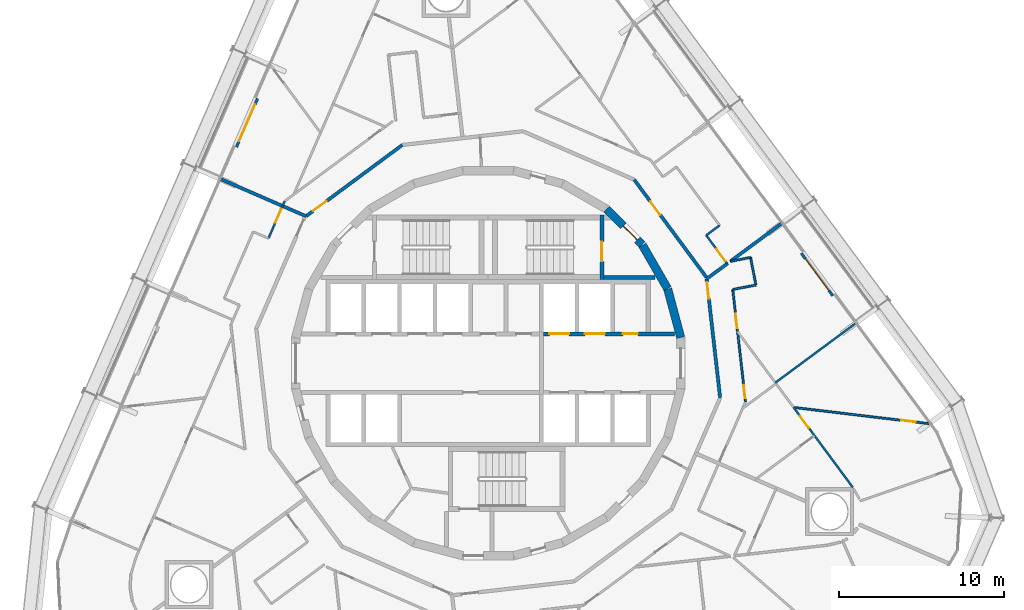
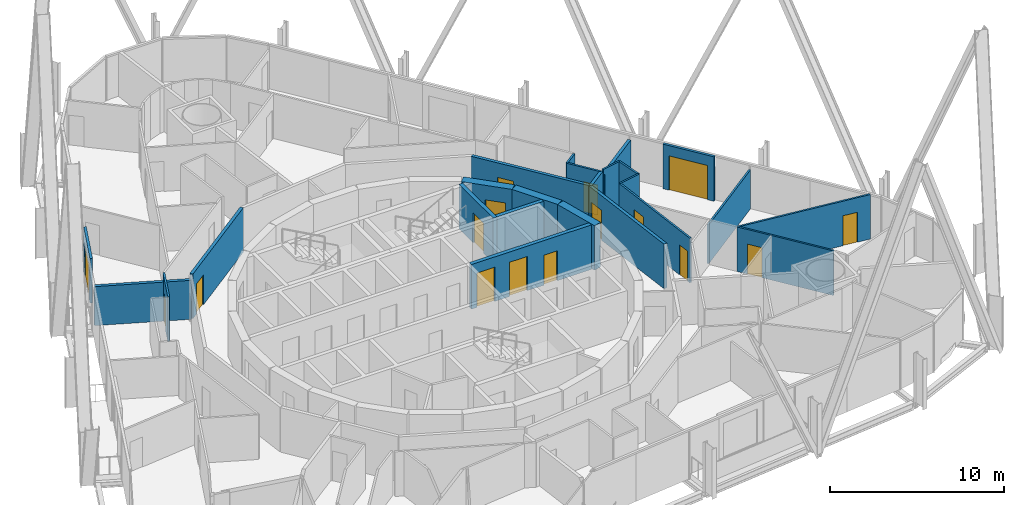
# One storey, part 20 of 23: 24 walls, 16 doors, 16 openings.
"""IFC4 building model written with IfcOpenShell, lengths in metres."""

import ifcopenshell
import ifcopenshell.guid

model = None  # the IFC model being written
_history = None  # IfcOwnerHistory: only IFC2X3 demands one
_inside = {}  # id of a spatial element -> (the spatial element, [elements in it])
_under = {}  # id of a project, library or spatial element -> (it, [spatial elements below it])
_declared = {}  # id of a project -> (the project, [libraries it declares])
_typed = {}  # id of a type object -> (the type object, [elements of that type])
_made_of = {}  # id of a material, layer set ... -> (it, [elements and type objects made of it])


def new_model(schema):
    """Start an empty IFC model of exactly this schema.

    Asked for "IFC4X3", IfcOpenShell would pick the latest addendum, in which some entities
    have other attributes; the version numbers below select the first issue.
    IFC2X3 requires an IfcOwnerHistory on every rooted entity: one is made here for all.
    """
    global model, _history
    if schema == "IFC4X3":
        model = ifcopenshell.file(schema_version=(4, 3, 0, 0))
    else:
        model = ifcopenshell.file(schema=schema)
    _inside.clear()
    _under.clear()
    _declared.clear()
    _typed.clear()
    _made_of.clear()
    _history = None
    if model.schema == "IFC2X3":
        org = make("IfcOrganization", Name="unknown")
        user = make(
            "IfcPersonAndOrganization",
            ThePerson=make("IfcPerson", FamilyName="unknown"),
            TheOrganization=org,
        )
        app = make(
            "IfcApplication",
            ApplicationDeveloper=org,
            Version="unknown",
            ApplicationFullName="unknown",
            ApplicationIdentifier="unknown",
        )
        _history = make(
            "IfcOwnerHistory",
            OwningUser=user,
            OwningApplication=app,
            ChangeAction="ADDED",
            CreationDate=0,
        )
    return model


def make(cls, **values):
    """One entity of the class cls with the attributes given. An attribute that is None is left unset."""
    return model.create_entity(
        cls, **{name: value for name, value in values.items() if value is not None}
    )


def rooted(cls, **values):
    """An entity with a GlobalId (a new one), such as an element, a storey or a relation."""
    return make(cls, GlobalId=ifcopenshell.guid.new(), OwnerHistory=_history, **values)


def si_unit(unit_type, name, prefix=None):
    """IfcSIUnit, for example si_unit("LENGTHUNIT", "METRE", prefix="MILLI")."""
    return make("IfcSIUnit", UnitType=unit_type, Prefix=prefix, Name=name)


def assignment(units):
    """IfcUnitAssignment: the units of a project."""
    return None if units is None else make("IfcUnitAssignment", Units=units)


def point(xyz):
    """IfcCartesianPoint."""
    return None if xyz is None else make("IfcCartesianPoint", Coordinates=xyz)


def direction(xyz):
    """IfcDirection."""
    return None if xyz is None else make("IfcDirection", DirectionRatios=xyz)


def frame(location, z_axis=None, x_axis=None):
    """IfcAxis2Placement3D, a coordinate frame: its origin and axes. An axis left out is left unset."""
    return make(
        "IfcAxis2Placement3D",
        Location=point(location),
        Axis=direction(z_axis),
        RefDirection=direction(x_axis),
    )


def frame_2d(location, x_axis=None):
    """IfcAxis2Placement2D, a coordinate frame in the plane: its origin and x axis."""
    return make(
        "IfcAxis2Placement2D", Location=point(location), RefDirection=direction(x_axis)
    )


def origin():
    """The frame at (0, 0, 0) with its axes left unset."""
    return frame((0.0, 0.0, 0.0))


def place(relative_to, where):
    """IfcLocalPlacement: puts the frame where relative to a parent placement (None: the world)."""
    return make(
        "IfcLocalPlacement", PlacementRelTo=relative_to, RelativePlacement=where
    )


def context(
    kind, dimensions, precision=None, world=None, true_north=None, identifier=None
):
    """IfcGeometricRepresentationContext, for example the 3D "Model" context."""
    return make(
        "IfcGeometricRepresentationContext",
        ContextIdentifier=identifier,
        ContextType=kind,
        CoordinateSpaceDimension=dimensions,
        Precision=precision,
        WorldCoordinateSystem=world,
        TrueNorth=true_north,
    )


def subcontext(parent, identifier, kind, view, scale=None):
    """IfcGeometricRepresentationSubContext, for example "Body" below "Model"."""
    return make(
        "IfcGeometricRepresentationSubContext",
        ContextIdentifier=identifier,
        ContextType=kind,
        ParentContext=parent,
        TargetScale=scale,
        TargetView=view,
    )


def project(units=None, contexts=None):
    """IfcProject with its units and contexts."""
    return rooted(
        "IfcProject",
        Name="project",
        RepresentationContexts=contexts,
        UnitsInContext=assignment(units),
    )


def spatial(cls, under=None, at=None, **own):
    """A site, building, storey or space (cls), placed at a placement, below another one or the project."""
    s = rooted(cls, ObjectPlacement=at, **own)
    if under is not None:
        _under.setdefault(under.id(), (under, []))[1].append(s)
    return s


def profile(cls, at=None, kind="AREA", **sizes):
    """A parametric profile (cls). Its sizes go by their IFC names, for example OverallWidth=200.0."""
    return make(cls, ProfileType=kind, Position=at, **sizes)


def rectangle(**sizes):
    """IfcRectangleProfileDef."""
    return profile("IfcRectangleProfileDef", **sizes)


def extrude(swept, where, along, depth):
    """IfcExtrudedAreaSolid: the profile swept, set in the frame where, extruded along a direction by depth."""
    return make(
        "IfcExtrudedAreaSolid",
        SweptArea=swept,
        Position=where,
        ExtrudedDirection=direction(along),
        Depth=depth,
    )


def shape(context_of_items, identifier, shape_type, items):
    """IfcShapeRepresentation: the items that make up one representation, for example the "Body"."""
    return make(
        "IfcShapeRepresentation",
        ContextOfItems=context_of_items,
        RepresentationIdentifier=identifier,
        RepresentationType=shape_type,
        Items=items,
    )


def material(Name=None, Category=None):
    """IfcMaterial."""
    return make("IfcMaterial", Name=Name, Category=Category)


def layer(
    of_material, thickness, ventilated=None, Name=None, Category=None, Priority=None
):
    """IfcMaterialLayer: one layer of a wall or slab, of a material (None: an air gap)."""
    return make(
        "IfcMaterialLayer",
        Material=of_material,
        LayerThickness=thickness,
        IsVentilated=ventilated,
        Name=Name,
        Category=Category,
        Priority=Priority,
    )


def layer_set(layers, Name=None):
    """IfcMaterialLayerSet."""
    return make("IfcMaterialLayerSet", MaterialLayers=layers, LayerSetName=Name)


def made_of(thing, what):
    """Note that an element or type object is made of a material, layer set ...; save() writes the relation."""
    if what is not None:
        _made_of.setdefault(what.id(), (what, []))[1].append(thing)
    return thing


def type_object(cls, material=None, **own):
    """A type object (cls), such as IfcWallType, which elements share."""
    return made_of(rooted(cls, **own), material)


def element(
    cls,
    number,
    at=None,
    inside=None,
    cuts=None,
    type_object=None,
    material=None,
    context=None,
    identifier="Body",
    shape_type=None,
    held_by="IfcProductDefinitionShape",
    body=None,
    shapes=None,
    **own,
):
    """One element of the class cls, such as IfcWall. Its Tag is "e" and its number.

    at: its placement. inside: the storey or other place that contains it. cuts: it is an
    opening in that element (IfcRelVoidsElement). A single representation is given by context,
    identifier, shape_type and body (its items); several are given by shapes. held_by: the class
    of the entity that holds the representations. save() writes the other relations.
    """
    e = rooted(cls, Tag="e%d" % number, ObjectPlacement=at, **own)
    if body is not None:
        shapes = [shape(context, identifier, shape_type, body)]
    if shapes is not None:
        e.Representation = make(held_by, Representations=shapes)
    if inside is not None:
        _inside.setdefault(inside.id(), (inside, []))[1].append(e)
    if cuts is not None:
        rooted(
            "IfcRelVoidsElement", RelatingBuildingElement=cuts, RelatedOpeningElement=e
        )
    if type_object is not None:
        _typed.setdefault(type_object.id(), (type_object, []))[1].append(e)
    return made_of(e, material)


def fill(opening, filler):
    """IfcRelFillsElement: the door or window that sits in an opening."""
    return rooted(
        "IfcRelFillsElement",
        RelatingOpeningElement=opening,
        RelatedBuildingElement=filler,
    )


def aggregate(whole, parts):
    """IfcRelAggregates: a whole, such as a stair, and the parts it consists of."""
    return rooted("IfcRelAggregates", RelatingObject=whole, RelatedObjects=parts)


def save(model, path):
    """Write the relations noted so far, then the file.

    IfcRelAggregates (storeys below a building ...), IfcRelContainedInSpatialStructure (elements
    in a storey), IfcRelDefinesByType, IfcRelAssociatesMaterial and IfcRelDeclares: one each for
    every whole, place, type object, material and project.
    """
    for whole, parts in _under.values():
        aggregate(whole, parts)
    for where, things in _inside.values():
        rooted(
            "IfcRelContainedInSpatialStructure",
            RelatedElements=things,
            RelatingStructure=where,
        )
    for kind, things in _typed.values():
        rooted("IfcRelDefinesByType", RelatedObjects=things, RelatingType=kind)
    for what, things in _made_of.values():
        rooted("IfcRelAssociatesMaterial", RelatedObjects=things, RelatingMaterial=what)
    for by, libraries in _declared.values():
        rooted("IfcRelDeclares", RelatingContext=by, RelatedDefinitions=libraries)
    model.write(path)


model = new_model("IFC4")

# Units and contexts
model_context = context("Model", 3, precision=1e-05, world=origin(), true_north=direction((0.0, 1.0)))
body_context = subcontext(model_context, "Body", "Model", "MODEL_VIEW")
ifc_project = project(units=[si_unit("LENGTHUNIT", "METRE"), si_unit("AREAUNIT", "SQUARE_METRE"), si_unit("VOLUMEUNIT", "CUBIC_METRE"), si_unit("PLANEANGLEUNIT", "RADIAN"), si_unit("MASSUNIT", "GRAM", prefix="KILO")], contexts=[model_context])

# Site, building, storey
site_placement = place(None, origin())
site = spatial("IfcSite", under=ifc_project, at=site_placement, CompositionType="ELEMENT")
building_placement = place(site_placement, origin())
building = spatial("IfcBuilding", under=site, at=building_placement, Name="Spindle Arch Residences", CompositionType="ELEMENT")
storey_placement = place(building_placement, frame((0.0, 0.0, 90.699951171875)))
storey = spatial("IfcBuildingStorey", under=building, at=storey_placement, Name="L21", CompositionType="ELEMENT", Elevation=90.699951171875)

# Walls
ifc_material_1 = material(Name="Concrete C50/60", Category="concrete")
ifc_layer_1 = layer(ifc_material_1, 0.5)
ifc_layer_set_1 = layer_set([ifc_layer_1], Name="Core outline wall 500")
wall_type_1 = type_object("IfcWallType", Name="Core outline wall 500", PredefinedType="SHEAR", material=ifc_layer_set_1)
for number, where, z_axis, x_axis, name in (
    (1, (11.642822265625, 1.5498046875, 0.0), (0.0, 0.0, 1.0), (-0.258734743916, 0.965948410781, 0.0), "Core outline wall 7"),
    (2, (10.84521484375, 4.510498046875, 0.0), (0.0, 0.0, 1.0), (-0.500087131594, 0.865975092491, 0.0), "Core outline wall 8"),
):
    element("IfcWall", number, at=place(storey_placement, frame(where, z_axis=z_axis, x_axis=x_axis)), inside=storey, type_object=wall_type_1, Name=name, PredefinedType="SHEAR", context=body_context, shape_type="SweptSolid", body=[
        extrude(rectangle(XDim=3.03271484375, YDim=0.5, at=frame_2d((1.516357421875, 0.0))), origin(), (0.0, 0.0, 1.0), 3.1201171875),
    ])

# Wall, opening, door
wall_1_placement = place(storey_placement, frame((9.30810546875, 7.163818359375, 0.0), z_axis=(0.0, 0.0, 1.0), x_axis=(-0.707106781187, 0.707106781187, 0.0)))
wall_1 = element("IfcWall", 3, at=wall_1_placement, inside=storey, type_object=wall_type_1, Name="Core outline wall 9", PredefinedType="SHEAR", context=body_context, shape_type="SweptSolid", body=[
    extrude(rectangle(XDim=3.032470703125, YDim=0.5, at=frame_2d((1.51611328125, 0.0))), origin(), (0.0, 0.0, 1.0), 3.1201171875),
])
opening_1_placement = place(wall_1_placement, frame((0.416259765625, 0.0, 0.0)))
opening_1 = element("IfcOpeningElement", 4, at=opening_1_placement, cuts=wall_1, Name="Opening R2B0-AD01", PredefinedType="OPENING", context=body_context, shape_type="SweptSolid", body=[
    extrude(rectangle(XDim=1.199951171875, YDim=2.10009765625, at=frame_2d((0.60009765625, 1.050048828125))), frame((0.0, 0.260009765625, 0.0), z_axis=(0.0, -1.0, 0.0), x_axis=(1.0, 0.0, 0.0)), (0.0, 0.0, 1.0), 0.52001953125),
])
ifc_material_2 = material(Name="Steel, fire-resisting door", Category="steel")
door_type_1 = type_object("IfcDoorType", Name="Stair airlock door 1200x2100", OperationType="SINGLE_SWING_LEFT", PredefinedType="DOOR", material=ifc_material_2)
door_1_placement = place(opening_1_placement, origin())
door_1 = element("IfcDoor", 5, at=door_1_placement, inside=storey, type_object=door_type_1, Name="Stair airlock door R2B0-AD01", OperationType="SINGLE_SWING_RIGHT", OverallHeight=2.10009765625, OverallWidth=1.199951171875, PredefinedType="DOOR", context=body_context, shape_type="SweptSolid", body=[
    extrude(rectangle(XDim=1.199951171875, YDim=2.10009765625, at=frame_2d((0.60009765625, 1.050048828125))), frame((0.0, 0.02490234375, 0.0), z_axis=(0.0, -1.0, 0.0), x_axis=(1.0, 0.0, 0.0)), (0.0, 0.0, 1.0), 0.050048828125),
])
fill(opening_1, door_1)

ifc_material_3 = material(Name="Calcium silicate block, plastered")
ifc_layer_2 = layer(ifc_material_3, 0.199951171875)
ifc_layer_set_2 = layer_set([ifc_layer_2], Name="Corridor wall 200")
wall_type_2 = type_object("IfcWallType", Name="Corridor wall 200", PredefinedType="STANDARD", material=ifc_layer_set_2)
wall_2_placement = place(storey_placement, frame((13.1962890625, 5.1982421875, 0.0), z_axis=(0.0, 0.0, 1.0), x_axis=(-0.594805187394, 0.803869883159, 0.0)))
wall_2 = element("IfcWall", 6, at=wall_2_placement, inside=storey, type_object=wall_type_2, Name="Corridor wall R2B0-W004", PredefinedType="STANDARD", context=body_context, shape_type="SweptSolid", body=[
    extrude(rectangle(XDim=7.341796875, YDim=0.199951171875, at=frame_2d((3.6708984375, 0.0))), origin(), (0.0, 0.0, 1.0), 3.1201171875),
])
opening_2_placement = place(wall_2_placement, frame((4.699951171875, 0.0, 0.0)))
opening_2 = element("IfcOpeningElement", 7, at=opening_2_placement, cuts=wall_2, Name="Opening R2B0-FD01", PredefinedType="OPENING", context=body_context, shape_type="SweptSolid", body=[
    extrude(rectangle(XDim=1.0, YDim=2.10009765625, at=frame_2d((0.5, 1.050048828125))), frame((0.0, 0.10986328125, 0.0), z_axis=(0.0, -1.0, 0.0), x_axis=(1.0, 0.0, 0.0)), (0.0, 0.0, 1.0), 0.219970703125),
])
ifc_material_4 = material(Name="Timber, fire-resisting door set", Category="wood")
door_type_2 = type_object("IfcDoorType", Name="Flat entrance door 1000x2100", OperationType="NOTDEFINED", PredefinedType="DOOR", material=ifc_material_4)
door_2_placement = place(opening_2_placement, origin())
door_2 = element("IfcDoor", 8, at=door_2_placement, inside=storey, type_object=door_type_2, Name="Flat entrance door R2B0-FD01", OperationType="SINGLE_SWING_RIGHT", OverallHeight=2.10009765625, OverallWidth=1.0, PredefinedType="DOOR", context=body_context, shape_type="SweptSolid", body=[
    extrude(rectangle(XDim=1.0, YDim=2.10009765625, at=frame_2d((0.5, 1.050048828125))), frame((0.0, 0.02490234375, 0.0), z_axis=(0.0, -1.0, 0.0), x_axis=(1.0, 0.0, 0.0)), (0.0, 0.0, 1.0), 0.050048828125),
])
fill(opening_2, door_2)

wall_3_placement = place(storey_placement, frame((14.027587890625, -2.096435546875, 0.0), z_axis=(0.0, 0.0, 1.0), x_axis=(-0.113207047924, 0.993571418822, 0.0)))
wall_3 = element("IfcWall", 9, at=wall_3_placement, inside=storey, type_object=wall_type_2, Name="Corridor wall R2B0-W008", PredefinedType="STANDARD", context=body_context, shape_type="SweptSolid", body=[
    extrude(rectangle(XDim=7.23974609375, YDim=0.199951171875, at=frame_2d((3.619873046875, 0.0))), origin(), (0.0, 0.0, 1.0), 3.1201171875),
])
opening_3_placement = place(wall_3_placement, frame((6.03955078125, 0.0, 0.0)))
opening_3 = element("IfcOpeningElement", 10, at=opening_3_placement, cuts=wall_3, Name="Opening R2B0-FD06", PredefinedType="OPENING", context=body_context, shape_type="SweptSolid", body=[
    extrude(rectangle(XDim=1.0, YDim=2.10009765625, at=frame_2d((0.5, 1.050048828125))), frame((0.0, 0.10986328125, 0.0), z_axis=(0.0, -1.0, 0.0), x_axis=(1.0, 0.0, 0.0)), (0.0, 0.0, 1.0), 0.219970703125),
])
door_3_placement = place(opening_3_placement, origin())
door_3 = element("IfcDoor", 11, at=door_3_placement, inside=storey, type_object=door_type_2, Name="Flat entrance door R2B0-FD06", OperationType="SINGLE_SWING_LEFT", OverallHeight=2.10009765625, OverallWidth=1.0, PredefinedType="DOOR", context=body_context, shape_type="SweptSolid", body=[
    extrude(rectangle(XDim=1.0, YDim=2.10009765625, at=frame_2d((0.5, 1.050048828125))), frame((0.0, 0.02490234375, 0.0), z_axis=(0.0, -1.0, 0.0), x_axis=(1.0, 0.0, 0.0)), (0.0, 0.0, 1.0), 0.050048828125),
])
fill(opening_3, door_3)

wall_4_placement = place(storey_placement, frame((-5.1982421875, 13.1962890625, 0.0), z_axis=(0.0, 0.0, 1.0), x_axis=(-0.803864151363, -0.594812933748, 0.0)))
wall_4 = element("IfcWall", 12, at=wall_4_placement, inside=storey, type_object=wall_type_2, Name="Corridor wall R2B0-W009", PredefinedType="STANDARD", context=body_context, shape_type="SweptSolid", body=[
    extrude(rectangle(XDim=7.239501953125, YDim=0.199951171875, at=frame_2d((3.61962890625, 0.0))), origin(), (0.0, 0.0, 1.0), 3.1201171875),
])
opening_4_placement = place(wall_4_placement, frame((5.699951171875, 0.0, 0.0)))
opening_4 = element("IfcOpeningElement", 13, at=opening_4_placement, cuts=wall_4, Name="Opening R2B0-FD02", PredefinedType="OPENING", context=body_context, shape_type="SweptSolid", body=[
    extrude(rectangle(XDim=1.0, YDim=2.10009765625, at=frame_2d((0.5, 1.050048828125))), frame((0.0, 0.10986328125, 0.0), z_axis=(0.0, -1.0, 0.0), x_axis=(1.0, 0.0, 0.0)), (0.0, 0.0, 1.0), 0.219970703125),
])
door_4_placement = place(opening_4_placement, origin())
door_4 = element("IfcDoor", 14, at=door_4_placement, inside=storey, type_object=door_type_2, Name="Flat entrance door R2B0-FD02", OperationType="SINGLE_SWING_LEFT", OverallHeight=2.10009765625, OverallWidth=1.0, PredefinedType="DOOR", context=body_context, shape_type="SweptSolid", body=[
    extrude(rectangle(XDim=1.0, YDim=2.10009765625, at=frame_2d((0.5, 1.050048828125))), frame((0.0, 0.02490234375, 0.0), z_axis=(0.0, -1.0, 0.0), x_axis=(1.0, 0.0, 0.0)), (0.0, 0.0, 1.0), 0.050048828125),
])
fill(opening_4, door_4)

# Wall, openings, doors
ifc_material_5 = material(Name="Concrete C40/50", Category="concrete")
ifc_layer_3 = layer(ifc_material_5, 0.25)
ifc_layer_set_3 = layer_set([ifc_layer_3], Name="Fire-lift lobby wall 250")
wall_type_3 = type_object("IfcWallType", Name="Fire-lift lobby wall 250", PredefinedType="SHEAR", material=ifc_layer_set_3)
wall_5_placement = place(storey_placement, frame((3.35009765625, 1.77490234375, 0.0), z_axis=(0.0, 0.0, 1.0), x_axis=(1.0, 0.0, 0.0)))
wall_5 = element("IfcWall", 15, at=wall_5_placement, inside=storey, type_object=wall_type_3, Name="Lift shaft front wall NE", PredefinedType="SHEAR", context=body_context, shape_type="SweptSolid", body=[
    extrude(rectangle(XDim=7.929931640625, YDim=0.25, at=frame_2d((3.96484375, 0.0))), origin(), (0.0, 0.0, 1.0), 3.1201171875),
])
opening_5_placement = place(wall_5_placement, frame((0.35009765625, 0.0, 0.0)))
opening_5 = element("IfcOpeningElement", 16, at=opening_5_placement, cuts=wall_5, Name="Opening R2B0-SLD01", PredefinedType="OPENING", context=body_context, shape_type="SweptSolid", body=[
    extrude(rectangle(XDim=1.199951171875, YDim=2.39990234375, at=frame_2d((0.60009765625, 1.199951171875))), frame((0.0, 0.135009765625, 0.0), z_axis=(0.0, -1.0, 0.0), x_axis=(1.0, 0.0, 0.0)), (0.0, 0.0, 1.0), 0.27001953125),
])
opening_6_placement = place(wall_5_placement, frame((2.5, 0.0, 0.0)))
opening_6 = element("IfcOpeningElement", 17, at=opening_6_placement, cuts=wall_5, Name="Opening R2B0-SLD02", PredefinedType="OPENING", context=body_context, shape_type="SweptSolid", body=[
    extrude(rectangle(XDim=1.199951171875, YDim=2.39990234375, at=frame_2d((0.60009765625, 1.199951171875))), frame((0.0, 0.135009765625, 0.0), z_axis=(0.0, -1.0, 0.0), x_axis=(1.0, 0.0, 0.0)), (0.0, 0.0, 1.0), 0.27001953125),
])
opening_7_placement = place(wall_5_placement, frame((4.800048828125, 0.0, 0.0)))
opening_7 = element("IfcOpeningElement", 18, at=opening_7_placement, cuts=wall_5, Name="Opening R2B0-WD03", PredefinedType="OPENING", context=body_context, shape_type="SweptSolid", body=[
    extrude(rectangle(XDim=0.89990234375, YDim=2.10009765625, at=frame_2d((0.449951171875, 1.050048828125))), frame((0.0, 0.135009765625, 0.0), z_axis=(0.0, -1.0, 0.0), x_axis=(1.0, 0.0, 0.0)), (0.0, 0.0, 1.0), 0.27001953125),
])
ifc_material_6 = material(Name="Steel, fire-resisting landing door", Category="steel")
door_type_3 = type_object("IfcDoorType", Name="Service lift landing door 1200x2400", OperationType="DOUBLE_DOOR_SLIDING", PredefinedType="DOOR", material=ifc_material_6)
door_5_placement = place(opening_5_placement, origin())
door_5 = element("IfcDoor", 19, at=door_5_placement, inside=storey, type_object=door_type_3, Name="Service lift landing door R2B0-SLD01", OperationType="DOUBLE_DOOR_SLIDING", OverallHeight=2.39990234375, OverallWidth=1.199951171875, PredefinedType="DOOR", context=body_context, shape_type="SweptSolid", body=[
    extrude(rectangle(XDim=1.199951171875, YDim=2.39990234375, at=frame_2d((0.60009765625, 1.199951171875))), frame((0.0, 0.02490234375, 0.0), z_axis=(0.0, -1.0, 0.0), x_axis=(1.0, 0.0, 0.0)), (0.0, 0.0, 1.0), 0.050048828125),
])
fill(opening_5, door_5)
door_6_placement = place(opening_6_placement, origin())
door_6 = element("IfcDoor", 20, at=door_6_placement, inside=storey, type_object=door_type_3, Name="Service lift landing door R2B0-SLD02", OperationType="DOUBLE_DOOR_SLIDING", OverallHeight=2.39990234375, OverallWidth=1.199951171875, PredefinedType="DOOR", context=body_context, shape_type="SweptSolid", body=[
    extrude(rectangle(XDim=1.199951171875, YDim=2.39990234375, at=frame_2d((0.60009765625, 1.199951171875))), frame((0.0, 0.02490234375, 0.0), z_axis=(0.0, -1.0, 0.0), x_axis=(1.0, 0.0, 0.0)), (0.0, 0.0, 1.0), 0.050048828125),
])
fill(opening_6, door_6)
ifc_material_7 = material(Name="Steel, fire-resisting door", Category="steel")
door_type_4 = type_object("IfcDoorType", Name="Service room door 900x2100", OperationType="SINGLE_SWING_LEFT", PredefinedType="DOOR", material=ifc_material_7)
door_7_placement = place(opening_7_placement, origin())
door_7 = element("IfcDoor", 21, at=door_7_placement, inside=storey, type_object=door_type_4, Name="Service room door R2B0-WD03", OperationType="SINGLE_SWING_RIGHT", OverallHeight=2.10009765625, OverallWidth=0.89990234375, PredefinedType="DOOR", context=body_context, shape_type="SweptSolid", body=[
    extrude(rectangle(XDim=0.89990234375, YDim=2.10009765625, at=frame_2d((0.449951171875, 1.050048828125))), frame((0.0, 0.02490234375, 0.0), z_axis=(0.0, -1.0, 0.0), x_axis=(1.0, 0.0, 0.0)), (0.0, 0.0, 1.0), 0.050048828125),
])
fill(opening_7, door_7)

# Wall, opening, door
ifc_material_8 = material(Name="Plasterboard on steel studs", Category="steel")
ifc_layer_4 = layer(ifc_material_8, 0.1201171875)
ifc_layer_set_4 = layer_set([ifc_layer_4], Name="Flat partition 120")
wall_type_4 = type_object("IfcWallType", Name="Flat partition 120", PredefinedType="PARTITIONING", material=ifc_layer_set_4)
wall_6_placement = place(storey_placement, frame((14.454833984375, 6.019287109375, 0.0), z_axis=(0.0, 0.0, 1.0), x_axis=(-0.594792774379, 0.803879067737, 0.0)))
wall_6 = element("IfcWall", 22, at=wall_6_placement, inside=storey, type_object=wall_type_4, Name="Flat partition R2B0-W028", PredefinedType="PARTITIONING", context=body_context, shape_type="SweptSolid", body=[
    extrude(rectangle(XDim=2.1357421875, YDim=0.1201171875, at=frame_2d((1.06787109375, 0.0))), origin(), (0.0, 0.0, 1.0), 3.1201171875),
])
opening_8_placement = place(wall_6_placement, frame((0.199951171875, 0.0, 0.0)))
opening_8 = element("IfcOpeningElement", 23, at=opening_8_placement, cuts=wall_6, Name="Opening R2B0-ID01", PredefinedType="OPENING", context=body_context, shape_type="SweptSolid", body=[
    extrude(rectangle(XDim=0.89990234375, YDim=2.10009765625, at=frame_2d((0.449951171875, 1.050048828125))), frame((0.0, 0.070068359375, 0.0), z_axis=(0.0, -1.0, 0.0), x_axis=(1.0, 0.0, 0.0)), (0.0, 0.0, 1.0), 0.14013671875),
])
ifc_material_9 = material(Name="Timber door set", Category="wood")
door_type_5 = type_object("IfcDoorType", Name="Room door 900x2100", OperationType="NOTDEFINED", PredefinedType="DOOR", material=ifc_material_9)
door_8_placement = place(opening_8_placement, origin())
door_8 = element("IfcDoor", 24, at=door_8_placement, inside=storey, type_object=door_type_5, Name="Room door R2B0-ID01", OperationType="SINGLE_SWING_LEFT", OverallHeight=2.10009765625, OverallWidth=0.89990234375, PredefinedType="DOOR", context=body_context, shape_type="SweptSolid", body=[
    extrude(rectangle(XDim=0.89990234375, YDim=2.10009765625, at=frame_2d((0.449951171875, 1.050048828125))), frame((0.0, 0.02490234375, 0.0), z_axis=(0.0, -1.0, 0.0), x_axis=(1.0, 0.0, 0.0)), (0.0, 0.0, 1.0), 0.050048828125),
])
fill(opening_8, door_8)

# Wall
wall_7_placement = place(storey_placement, frame((13.1845703125, 7.736083984375, 0.0), z_axis=(0.0, 0.0, 1.0), x_axis=(0.803934518159, 0.594717824277, 0.0)))
element("IfcWall", 25, at=wall_7_placement, inside=storey, type_object=wall_type_4, Name="Flat partition R2B0-W029", PredefinedType="PARTITIONING", context=body_context, shape_type="SweptSolid", body=[
    extrude(rectangle(XDim=1.00830078125, YDim=0.1201171875, at=frame_2d((0.504150390625, 0.0))), origin(), (0.0, 0.0, 1.0), 3.1201171875),
])

# Wall, opening, door
wall_8_placement = place(storey_placement, frame((-12.315185546875, 9.7958984375, 0.0), z_axis=(0.0, 0.0, 1.0), x_axis=(-0.398762563957, -0.91705420646, 0.0)))
wall_8 = element("IfcWall", 26, at=wall_8_placement, inside=storey, type_object=wall_type_4, Name="Flat partition R2B0-W051", PredefinedType="PARTITIONING", context=body_context, shape_type="SweptSolid", body=[
    extrude(rectangle(XDim=2.448974609375, YDim=0.1201171875, at=frame_2d((1.224609375, 0.0))), origin(), (0.0, 0.0, 1.0), 3.1201171875),
])
opening_9_placement = place(wall_8_placement, frame((0.513427734375, 0.0, 0.0)))
opening_9 = element("IfcOpeningElement", 27, at=opening_9_placement, cuts=wall_8, Name="Opening R2B0-ID13", PredefinedType="OPENING", context=body_context, shape_type="SweptSolid", body=[
    extrude(rectangle(XDim=0.89990234375, YDim=2.10009765625, at=frame_2d((0.449951171875, 1.050048828125))), frame((0.0, 0.070068359375, 0.0), z_axis=(0.0, -1.0, 0.0), x_axis=(1.0, 0.0, 0.0)), (0.0, 0.0, 1.0), 0.14013671875),
])
door_9_placement = place(opening_9_placement, origin())
door_9 = element("IfcDoor", 28, at=door_9_placement, inside=storey, type_object=door_type_5, Name="Room door R2B0-ID13", OperationType="SINGLE_SWING_LEFT", OverallHeight=2.10009765625, OverallWidth=0.89990234375, PredefinedType="DOOR", context=body_context, shape_type="SweptSolid", body=[
    extrude(rectangle(XDim=0.89990234375, YDim=2.10009765625, at=frame_2d((0.449951171875, 1.050048828125))), frame((0.0, 0.02490234375, 0.0), z_axis=(0.0, -1.0, 0.0), x_axis=(1.0, 0.0, 0.0)), (0.0, 0.0, 1.0), 0.050048828125),
])
fill(opening_9, door_9)

# Wall, openings, doors
wall_9_placement = place(storey_placement, frame((15.563232421875, -2.325927734375, 0.0), z_axis=(0.0, 0.0, 1.0), x_axis=(-0.113209750844, 0.993571110849, 0.0)))
wall_9 = element("IfcWall", 29, at=wall_9_placement, inside=storey, type_object=wall_type_4, Name="Flat partition R2B0-W111", PredefinedType="PARTITIONING", context=body_context, shape_type="SweptSolid", body=[
    extrude(rectangle(XDim=6.82763671875, YDim=0.1201171875, at=frame_2d((3.413818359375, 0.0))), origin(), (0.0, 0.0, 1.0), 3.1201171875),
])
opening_10_placement = place(wall_9_placement, frame((4.460693359375, 0.0, 0.0)))
opening_10 = element("IfcOpeningElement", 30, at=opening_10_placement, cuts=wall_9, Name="Opening R2B0-ID31", PredefinedType="OPENING", context=body_context, shape_type="SweptSolid", body=[
    extrude(rectangle(XDim=0.89990234375, YDim=2.10009765625, at=frame_2d((0.449951171875, 1.050048828125))), frame((0.0, 0.070068359375, 0.0), z_axis=(0.0, -1.0, 0.0), x_axis=(1.0, 0.0, 0.0)), (0.0, 0.0, 1.0), 0.14013671875),
])
opening_11_placement = place(wall_9_placement, frame((0.199951171875, 0.0, 0.0)))
opening_11 = element("IfcOpeningElement", 31, at=opening_11_placement, cuts=wall_9, Name="Opening R2B0-BD07", PredefinedType="OPENING", context=body_context, shape_type="SweptSolid", body=[
    extrude(rectangle(XDim=0.800048828125, YDim=2.10009765625, at=frame_2d((0.39990234375, 1.050048828125))), frame((0.0, 0.070068359375, 0.0), z_axis=(0.0, -1.0, 0.0), x_axis=(1.0, 0.0, 0.0)), (0.0, 0.0, 1.0), 0.14013671875),
])
ifc_material_10 = material(Name="Timber door set", Category="wood")
door_type_6 = type_object("IfcDoorType", Name="Bathroom door 800x2100", OperationType="NOTDEFINED", PredefinedType="DOOR", material=ifc_material_10)
door_10_placement = place(opening_11_placement, origin())
door_10 = element("IfcDoor", 32, at=door_10_placement, inside=storey, type_object=door_type_6, Name="Bathroom door R2B0-BD07", OperationType="SINGLE_SWING_LEFT", OverallHeight=2.10009765625, OverallWidth=0.800048828125, PredefinedType="DOOR", context=body_context, shape_type="SweptSolid", body=[
    extrude(rectangle(XDim=0.800048828125, YDim=2.10009765625, at=frame_2d((0.39990234375, 1.050048828125))), frame((0.0, 0.02490234375, 0.0), z_axis=(0.0, -1.0, 0.0), x_axis=(1.0, 0.0, 0.0)), (0.0, 0.0, 1.0), 0.050048828125),
])
fill(opening_11, door_10)
door_11_placement = place(opening_10_placement, origin())
door_11 = element("IfcDoor", 33, at=door_11_placement, inside=storey, type_object=door_type_5, Name="Room door R2B0-ID31", OperationType="SINGLE_SWING_LEFT", OverallHeight=2.10009765625, OverallWidth=0.89990234375, PredefinedType="DOOR", context=body_context, shape_type="SweptSolid", body=[
    extrude(rectangle(XDim=0.89990234375, YDim=2.10009765625, at=frame_2d((0.449951171875, 1.050048828125))), frame((0.0, 0.02490234375, 0.0), z_axis=(0.0, -1.0, 0.0), x_axis=(1.0, 0.0, 0.0)), (0.0, 0.0, 1.0), 0.050048828125),
])
fill(opening_10, door_11)

# Walls
wall_10_placement = place(storey_placement, frame((14.790283203125, 4.457763671875, 0.0), z_axis=(0.0, 0.0, 1.0), x_axis=(0.981914676232, 0.189323977881, 0.0)))
element("IfcWall", 34, at=wall_10_placement, inside=storey, type_object=wall_type_4, Name="Flat partition R2B0-W112", PredefinedType="PARTITIONING", context=body_context, shape_type="SweptSolid", body=[
    extrude(rectangle(XDim=1.425048828125, YDim=0.1201171875, at=frame_2d((0.71240234375, 0.0))), origin(), (0.0, 0.0, 1.0), 3.1201171875),
])
wall_11_placement = place(storey_placement, frame((16.189453125, 4.7275390625, 0.0), z_axis=(0.0, 0.0, 1.0), x_axis=(-0.18942796612, 0.981894620441, 0.0)))
element("IfcWall", 35, at=wall_11_placement, inside=storey, type_object=wall_type_4, Name="Flat partition R2B0-W113", PredefinedType="PARTITIONING", context=body_context, shape_type="SweptSolid", body=[
    extrude(rectangle(XDim=1.699951171875, YDim=0.1201171875, at=frame_2d((0.85009765625, 0.0))), origin(), (0.0, 0.0, 1.0), 3.1201171875),
])
wall_12_placement = place(storey_placement, frame((15.867431640625, 6.396728515625, 0.0), z_axis=(0.0, 0.0, 1.0), x_axis=(-0.981909648822, -0.189350050303, 0.0)))
element("IfcWall", 36, at=wall_12_placement, inside=storey, type_object=wall_type_4, Name="Flat partition R2B0-W114", PredefinedType="PARTITIONING", context=body_context, shape_type="SweptSolid", body=[
    extrude(rectangle(XDim=1.242919921875, YDim=0.1201171875, at=frame_2d((0.62158203125, 0.0))), origin(), (0.0, 0.0, 1.0), 3.1201171875),
])

# Wall, opening, door
wall_13_placement = place(storey_placement, frame((22.047607421875, -7.50732421875, 0.0), z_axis=(0.0, 0.0, 1.0), x_axis=(-0.59484195588, 0.803842675855, 0.0)))
wall_13 = element("IfcWall", 37, at=wall_13_placement, inside=storey, type_object=wall_type_4, Name="Flat partition R2B0-W120", PredefinedType="PARTITIONING", context=body_context, shape_type="SweptSolid", body=[
    extrude(rectangle(XDim=6.012451171875, YDim=0.1201171875, at=frame_2d((3.00634765625, 0.0))), origin(), (0.0, 0.0, 1.0), 3.1201171875),
])
opening_12_placement = place(wall_13_placement, frame((4.468505859375, 0.0, 0.0)))
opening_12 = element("IfcOpeningElement", 38, at=opening_12_placement, cuts=wall_13, Name="Opening R2B0-ID33", PredefinedType="OPENING", context=body_context, shape_type="SweptSolid", body=[
    extrude(rectangle(XDim=0.89990234375, YDim=2.10009765625, at=frame_2d((0.449951171875, 1.050048828125))), frame((0.0, 0.070068359375, 0.0), z_axis=(0.0, -1.0, 0.0), x_axis=(1.0, 0.0, 0.0)), (0.0, 0.0, 1.0), 0.14013671875),
])
door_12_placement = place(opening_12_placement, origin())
door_12 = element("IfcDoor", 39, at=door_12_placement, inside=storey, type_object=door_type_5, Name="Room door R2B0-ID33", OperationType="SINGLE_SWING_LEFT", OverallHeight=2.10009765625, OverallWidth=0.89990234375, PredefinedType="DOOR", context=body_context, shape_type="SweptSolid", body=[
    extrude(rectangle(XDim=0.89990234375, YDim=2.10009765625, at=frame_2d((0.449951171875, 1.050048828125))), frame((0.0, 0.02490234375, 0.0), z_axis=(0.0, -1.0, 0.0), x_axis=(1.0, 0.0, 0.0)), (0.0, 0.0, 1.0), 0.050048828125),
])
fill(opening_12, door_12)

wall_14_placement = place(storey_placement, frame((26.6611328125, -3.6552734375, 0.0), z_axis=(0.0, 0.0, 1.0), x_axis=(-0.992903144553, 0.11892579845, 0.0)))
wall_14 = element("IfcWall", 40, at=wall_14_placement, inside=storey, type_object=wall_type_4, Name="Flat partition R2B0-W122", PredefinedType="PARTITIONING", context=body_context, shape_type="SweptSolid", body=[
    extrude(rectangle(XDim=8.24853515625, YDim=0.1201171875, at=frame_2d((4.124267578125, 0.0))), origin(), (0.0, 0.0, 1.0), 3.1201171875),
])
opening_13_placement = place(wall_14_placement, frame((0.800048828125, 0.0, 0.0)))
opening_13 = element("IfcOpeningElement", 41, at=opening_13_placement, cuts=wall_14, Name="Opening R2B0-ID35", PredefinedType="OPENING", context=body_context, shape_type="SweptSolid", body=[
    extrude(rectangle(XDim=0.89990234375, YDim=2.10009765625, at=frame_2d((0.449951171875, 1.050048828125))), frame((0.0, 0.070068359375, 0.0), z_axis=(0.0, -1.0, 0.0), x_axis=(1.0, 0.0, 0.0)), (0.0, 0.0, 1.0), 0.14013671875),
])
door_13_placement = place(opening_13_placement, origin())
door_13 = element("IfcDoor", 42, at=door_13_placement, inside=storey, type_object=door_type_5, Name="Room door R2B0-ID35", OperationType="SINGLE_SWING_RIGHT", OverallHeight=2.10009765625, OverallWidth=0.89990234375, PredefinedType="DOOR", context=body_context, shape_type="SweptSolid", body=[
    extrude(rectangle(XDim=0.89990234375, YDim=2.10009765625, at=frame_2d((0.449951171875, 1.050048828125))), frame((0.0, 0.02490234375, 0.0), z_axis=(0.0, -1.0, 0.0), x_axis=(1.0, 0.0, 0.0)), (0.0, 0.0, 1.0), 0.050048828125),
])
fill(opening_13, door_13)

# Walls
ifc_material_11 = material(Name="Plasterboard on steel studs", Category="steel")
ifc_layer_5 = layer(ifc_material_11, 0.1201171875)
ifc_layer_set_5 = layer_set([ifc_layer_5], Name="Flat partition 120 under beam 2730")
wall_type_5 = type_object("IfcWallType", Name="Flat partition 120 under beam 2730", PredefinedType="PARTITIONING", material=ifc_layer_set_5)
wall_15_placement = place(storey_placement, frame((17.36572265625, -1.18017578125, 0.0), z_axis=(0.0, 0.0, 1.0), x_axis=(0.803855518832, 0.594824600065, 0.0)))
element("IfcWall", 43, at=wall_15_placement, inside=storey, type_object=wall_type_5, Name="Flat partition R2B0-W115", PredefinedType="PARTITIONING", context=body_context, shape_type="SweptSolid", body=[
    extrude(rectangle(XDim=5.999755859375, YDim=0.1201171875, at=frame_2d((3.0, 0.0))), origin(), (0.0, 0.0, 1.0), 2.72998046875),
])
ifc_material_12 = material(Name="Calcium silicate block, plastered")
ifc_layer_6 = layer(ifc_material_12, 0.199951171875)
ifc_layer_set_6 = layer_set([ifc_layer_6], Name="Flat party wall 200")
wall_type_6 = type_object("IfcWallType", Name="Flat party wall 200", PredefinedType="STANDARD", material=ifc_layer_set_6)
wall_16_placement = place(storey_placement, frame((13.2080078125, 5.0966796875, 0.0), z_axis=(0.0, 0.0, 1.0), x_axis=(0.803831627965, 0.594856885211, 0.0)))
element("IfcWall", 44, at=wall_16_placement, inside=storey, type_object=wall_type_6, Name="Flat party wall R2B0-W017", PredefinedType="STANDARD", context=body_context, shape_type="SweptSolid", body=[
    extrude(rectangle(XDim=1.59130859375, YDim=0.199951171875, at=frame_2d((0.795654296875, 0.0))), origin(), (0.0, 0.0, 1.0), 3.1201171875),
])
ifc_material_13 = material(Name="Calcium silicate block, plastered")
ifc_layer_7 = layer(ifc_material_13, 0.199951171875)
ifc_layer_set_7 = layer_set([ifc_layer_7], Name="Flat party wall 200 under beam 2730")
wall_type_7 = type_object("IfcWallType", Name="Flat party wall 200 under beam 2730", PredefinedType="STANDARD", material=ifc_layer_set_7)
wall_17_placement = place(storey_placement, frame((14.64697265625, 6.161376953125, 0.0), z_axis=(0.0, 0.0, 1.0), x_axis=(0.803842510616, 0.594842179175, 0.0)))
element("IfcWall", 45, at=wall_17_placement, inside=storey, type_object=wall_type_7, Name="Flat party wall R2B0-W018", PredefinedType="STANDARD", context=body_context, shape_type="SweptSolid", body=[
    extrude(rectangle(XDim=3.818603515625, YDim=0.199951171875, at=frame_2d((1.9091796875, 0.0))), origin(), (0.0, 0.0, 1.0), 2.72998046875),
])
wall_18_placement = place(storey_placement, frame((-16.1611328125, 11.12646484375, 0.0), z_axis=(0.0, 0.0, 1.0), x_axis=(0.917063135481, -0.398742028813, 0.0)))
element("IfcWall", 46, at=wall_18_placement, inside=storey, type_object=wall_type_7, Name="Flat party wall R2B0-W020", PredefinedType="STANDARD", context=body_context, shape_type="SweptSolid", body=[
    extrude(rectangle(XDim=5.6083984375, YDim=0.199951171875, at=frame_2d((2.80419921875, 0.0))), origin(), (0.0, 0.0, 1.0), 2.72998046875),
])

# Wall, opening, door
ifc_material_14 = material(Name="Non-combustible mineral wool insulated aluminium faced external wall (K0)", Category="aluminium")
ifc_layer_8 = layer(ifc_material_14, 0.159912109375)
ifc_layer_set_8 = layer_set([ifc_layer_8], Name="Insulated external wall panel 160")
wall_type_8 = type_object("IfcWallType", Name="Insulated external wall panel 160", PredefinedType="STANDARD", material=ifc_layer_set_8)
wall_19_placement = place(storey_placement, frame((20.840087890625, 4.076904296875, 0.0), z_axis=(0.0, 0.0, 1.0), x_axis=(-0.594824273168, 0.803855760725, 0.0)))
wall_19 = element("IfcWall", 47, at=wall_19_placement, inside=storey, type_object=wall_type_8, Name="External wall L21 bay 7", PredefinedType="STANDARD", context=body_context, shape_type="SweptSolid", body=[
    extrude(rectangle(XDim=3.2001953125, YDim=0.159912109375, at=frame_2d((1.60009765625, 0.0))), origin(), (0.0, 0.0, 1.0), 3.1201171875),
])
opening_14_placement = place(wall_19_placement, frame((0.39990234375, 0.0, 0.0)))
opening_14 = element("IfcOpeningElement", 48, at=opening_14_placement, cuts=wall_19, Name="Opening BD07", PredefinedType="OPENING", context=body_context, shape_type="SweptSolid", body=[
    extrude(rectangle(XDim=2.39990234375, YDim=2.39990234375, at=frame_2d((1.199951171875, 1.199951171875))), frame((0.0, 0.08984375, 0.0), z_axis=(0.0, -1.0, 0.0), x_axis=(1.0, 0.0, 0.0)), (0.0, 0.0, 1.0), 0.179931640625),
])
ifc_material_15 = material(Name="Bronze aluminium frame, tinted double glazing", Category="aluminium")
door_type_7 = type_object("IfcDoorType", Name="Sliding glazed balcony door 2400x2400", OperationType="DOUBLE_DOOR_SLIDING", PredefinedType="DOOR", material=ifc_material_15)
door_14_placement = place(opening_14_placement, origin())
door_14 = element("IfcDoor", 49, at=door_14_placement, inside=storey, type_object=door_type_7, Name="Balcony door BD07", OperationType="DOUBLE_DOOR_SLIDING", OverallHeight=2.39990234375, OverallWidth=2.39990234375, PredefinedType="DOOR", context=body_context, shape_type="SweptSolid", body=[
    extrude(rectangle(XDim=2.39990234375, YDim=2.39990234375, at=frame_2d((1.199951171875, 1.199951171875))), frame((0.0, 0.02490234375, 0.0), z_axis=(0.0, -1.0, 0.0), x_axis=(1.0, 0.0, 0.0)), (0.0, 0.0, 1.0), 0.050048828125),
])
fill(opening_14, door_14)

wall_20_placement = place(storey_placement, frame((-13.950927734375, 16.009521484375, 0.0), z_axis=(0.0, 0.0, 1.0), x_axis=(-0.398720531764, -0.917072482168, 0.0)))
wall_20 = element("IfcWall", 50, at=wall_20_placement, inside=storey, type_object=wall_type_8, Name="External wall L21 bay 15", PredefinedType="STANDARD", context=body_context, shape_type="SweptSolid", body=[
    extrude(rectangle(XDim=3.199951171875, YDim=0.159912109375, at=frame_2d((1.60009765625, 0.0))), origin(), (0.0, 0.0, 1.0), 3.1201171875),
])
opening_15_placement = place(wall_20_placement, frame((0.39990234375, 0.0, 0.0)))
opening_15 = element("IfcOpeningElement", 51, at=opening_15_placement, cuts=wall_20, Name="Opening BD15", PredefinedType="OPENING", context=body_context, shape_type="SweptSolid", body=[
    extrude(rectangle(XDim=2.39990234375, YDim=2.39990234375, at=frame_2d((1.199951171875, 1.199951171875))), frame((0.0, 0.08984375, 0.0), z_axis=(0.0, -1.0, 0.0), x_axis=(1.0, 0.0, 0.0)), (0.0, 0.0, 1.0), 0.179931640625),
])
door_15_placement = place(opening_15_placement, origin())
door_15 = element("IfcDoor", 52, at=door_15_placement, inside=storey, type_object=door_type_7, Name="Balcony door BD15", OperationType="DOUBLE_DOOR_SLIDING", OverallHeight=2.39990234375, OverallWidth=2.39990234375, PredefinedType="DOOR", context=body_context, shape_type="SweptSolid", body=[
    extrude(rectangle(XDim=2.39990234375, YDim=2.39990234375, at=frame_2d((1.199951171875, 1.199951171875))), frame((0.0, 0.02490234375, 0.0), z_axis=(0.0, -1.0, 0.0), x_axis=(1.0, 0.0, 0.0)), (0.0, 0.0, 1.0), 0.050048828125),
])
fill(opening_15, door_15)

# Wall
ifc_material_16 = material(Name="Concrete C40/50", Category="concrete")
ifc_layer_9 = layer(ifc_material_16, 0.25)
ifc_layer_set_9 = layer_set([ifc_layer_9], Name="Stair airlock wall 250")
wall_type_9 = type_object("IfcWallType", Name="Stair airlock wall 250", PredefinedType="SHEAR", material=ifc_layer_set_9)
wall_21_placement = place(storey_placement, frame((7.0, 5.175048828125, 0.0), z_axis=(0.0, 0.0, 1.0), x_axis=(1.0, 0.0, 0.0)))
element("IfcWall", 53, at=wall_21_placement, inside=storey, type_object=wall_type_9, Name="Stair ST-1 airlock wall S", PredefinedType="SHEAR", context=body_context, shape_type="SweptSolid", body=[
    extrude(rectangle(XDim=3.10009765625, YDim=0.25, at=frame_2d((1.550048828125, 0.0))), origin(), (0.0, 0.0, 1.0), 3.1201171875),
])

# Wall, opening, door
ifc_material_17 = material(Name="Concrete C50/60", Category="concrete")
ifc_layer_10 = layer(ifc_material_17, 0.25)
ifc_layer_set_10 = layer_set([ifc_layer_10], Name="Stair enclosure wall 250")
wall_type_10 = type_object("IfcWallType", Name="Stair enclosure wall 250", PredefinedType="SHEAR", material=ifc_layer_set_10)
wall_22_placement = place(storey_placement, frame((6.875, 5.050048828125, 0.0), z_axis=(0.0, 0.0, 1.0), x_axis=(0.0, 1.0, 0.0)))
wall_22 = element("IfcWall", 54, at=wall_22_placement, inside=storey, type_object=wall_type_10, Name="Stair ST-1 door wall", PredefinedType="SHEAR", context=body_context, shape_type="SweptSolid", body=[
    extrude(rectangle(XDim=3.919921875, YDim=0.25, at=frame_2d((1.9599609375, 0.0))), origin(), (0.0, 0.0, 1.0), 3.1201171875),
])
opening_16_placement = place(wall_22_placement, frame((1.110107421875, 0.0, 0.0)))
opening_16 = element("IfcOpeningElement", 55, at=opening_16_placement, cuts=wall_22, Name="Opening R2B0-SD01", PredefinedType="OPENING", context=body_context, shape_type="SweptSolid", body=[
    extrude(rectangle(XDim=1.199951171875, YDim=2.10009765625, at=frame_2d((0.60009765625, 1.050048828125))), frame((0.0, 0.135009765625, 0.0), z_axis=(0.0, -1.0, 0.0), x_axis=(1.0, 0.0, 0.0)), (0.0, 0.0, 1.0), 0.27001953125),
])
ifc_material_18 = material(Name="Steel, fire-resisting door", Category="steel")
door_type_8 = type_object("IfcDoorType", Name="Stair door 1200x2100", OperationType="SINGLE_SWING_RIGHT", PredefinedType="DOOR", material=ifc_material_18)
door_16_placement = place(opening_16_placement, origin())
door_16 = element("IfcDoor", 56, at=door_16_placement, inside=storey, type_object=door_type_8, Name="Stair door R2B0-SD01", OperationType="SINGLE_SWING_LEFT", OverallHeight=2.10009765625, OverallWidth=1.199951171875, PredefinedType="DOOR", context=body_context, shape_type="SweptSolid", body=[
    extrude(rectangle(XDim=1.199951171875, YDim=2.10009765625, at=frame_2d((0.60009765625, 1.050048828125))), frame((0.0, 0.02490234375, 0.0), z_axis=(0.0, -1.0, 0.0), x_axis=(1.0, 0.0, 0.0)), (0.0, 0.0, 1.0), 0.050048828125),
])
fill(opening_16, door_16)

save(model, "model.ifc")
